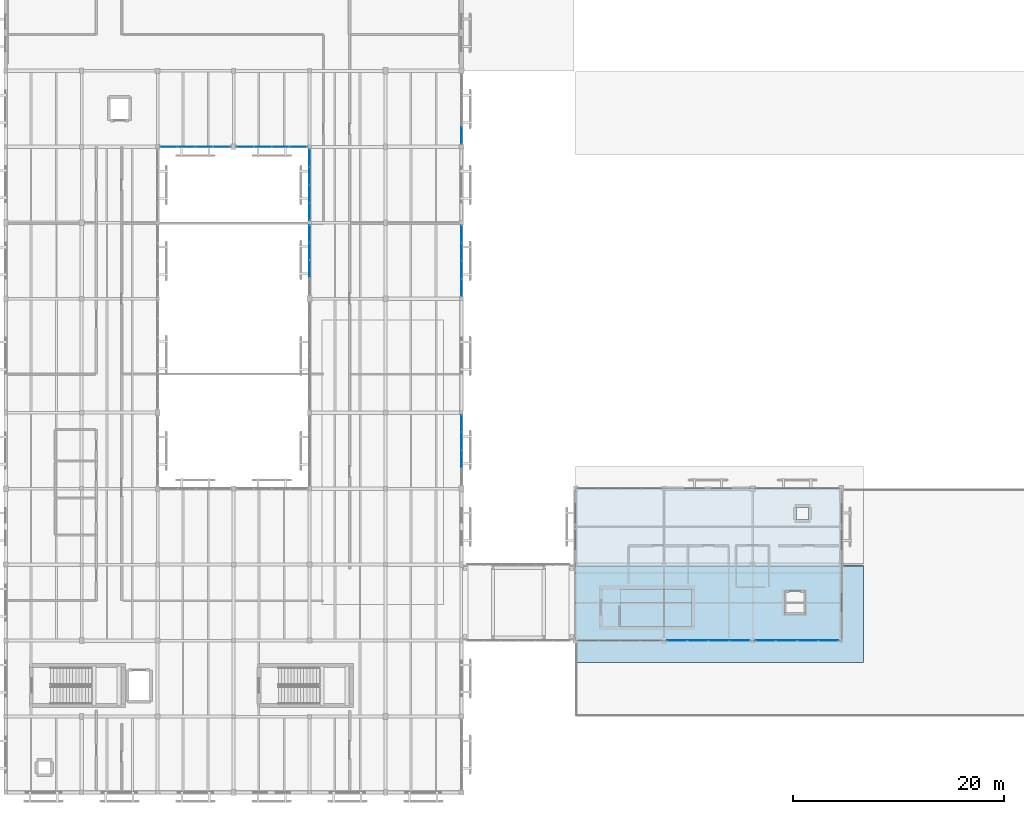
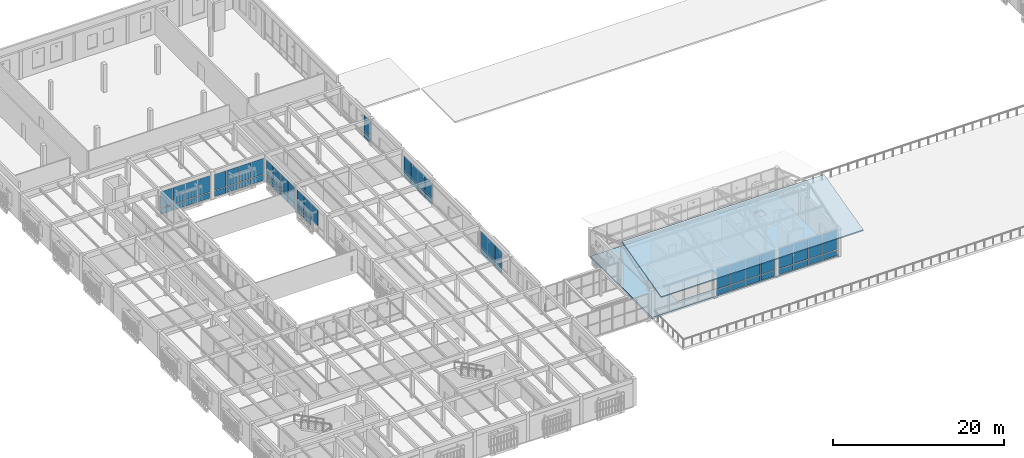
# One storey, part 72 of 112: 61 plates, 2 slabs, 9 elements without a shape of their own.
"""IFC4 building model written with IfcOpenShell, lengths in metres."""

import ifcopenshell
import ifcopenshell.guid

model = None  # the IFC model being written
_history = None  # IfcOwnerHistory: only IFC2X3 demands one
_inside = {}  # id of a spatial element -> (the spatial element, [elements in it])
_under = {}  # id of a project, library or spatial element -> (it, [spatial elements below it])
_declared = {}  # id of a project -> (the project, [libraries it declares])
_typed = {}  # id of a type object -> (the type object, [elements of that type])
_made_of = {}  # id of a material, layer set ... -> (it, [elements and type objects made of it])


def new_model(schema):
    """Start an empty IFC model of exactly this schema.

    Asked for "IFC4X3", IfcOpenShell would pick the latest addendum, in which some entities
    have other attributes; the version numbers below select the first issue.
    IFC2X3 requires an IfcOwnerHistory on every rooted entity: one is made here for all.
    """
    global model, _history
    if schema == "IFC4X3":
        model = ifcopenshell.file(schema_version=(4, 3, 0, 0))
    else:
        model = ifcopenshell.file(schema=schema)
    _inside.clear()
    _under.clear()
    _declared.clear()
    _typed.clear()
    _made_of.clear()
    _history = None
    if model.schema == "IFC2X3":
        org = make("IfcOrganization", Name="unknown")
        user = make(
            "IfcPersonAndOrganization",
            ThePerson=make("IfcPerson", FamilyName="unknown"),
            TheOrganization=org,
        )
        app = make(
            "IfcApplication",
            ApplicationDeveloper=org,
            Version="unknown",
            ApplicationFullName="unknown",
            ApplicationIdentifier="unknown",
        )
        _history = make(
            "IfcOwnerHistory",
            OwningUser=user,
            OwningApplication=app,
            ChangeAction="ADDED",
            CreationDate=0,
        )
    return model


def make(cls, **values):
    """One entity of the class cls with the attributes given. An attribute that is None is left unset."""
    return model.create_entity(
        cls, **{name: value for name, value in values.items() if value is not None}
    )


def rooted(cls, **values):
    """An entity with a GlobalId (a new one), such as an element, a storey or a relation."""
    return make(cls, GlobalId=ifcopenshell.guid.new(), OwnerHistory=_history, **values)


def si_unit(unit_type, name, prefix=None):
    """IfcSIUnit, for example si_unit("LENGTHUNIT", "METRE", prefix="MILLI")."""
    return make("IfcSIUnit", UnitType=unit_type, Prefix=prefix, Name=name)


def assignment(units):
    """IfcUnitAssignment: the units of a project."""
    return None if units is None else make("IfcUnitAssignment", Units=units)


def point(xyz):
    """IfcCartesianPoint."""
    return None if xyz is None else make("IfcCartesianPoint", Coordinates=xyz)


def direction(xyz):
    """IfcDirection."""
    return None if xyz is None else make("IfcDirection", DirectionRatios=xyz)


def frame(location, z_axis=None, x_axis=None):
    """IfcAxis2Placement3D, a coordinate frame: its origin and axes. An axis left out is left unset."""
    return make(
        "IfcAxis2Placement3D",
        Location=point(location),
        Axis=direction(z_axis),
        RefDirection=direction(x_axis),
    )


def frame_2d(location, x_axis=None):
    """IfcAxis2Placement2D, a coordinate frame in the plane: its origin and x axis."""
    return make(
        "IfcAxis2Placement2D", Location=point(location), RefDirection=direction(x_axis)
    )


def origin():
    """The frame at (0, 0, 0) with its axes left unset."""
    return frame((0.0, 0.0, 0.0))


def origin_2d():
    """The frame at (0, 0) in the plane with its x axis left unset."""
    return frame_2d((0.0, 0.0))


def place(relative_to, where):
    """IfcLocalPlacement: puts the frame where relative to a parent placement (None: the world)."""
    return make(
        "IfcLocalPlacement", PlacementRelTo=relative_to, RelativePlacement=where
    )


def context(
    kind, dimensions, precision=None, world=None, true_north=None, identifier=None
):
    """IfcGeometricRepresentationContext, for example the 3D "Model" context."""
    return make(
        "IfcGeometricRepresentationContext",
        ContextIdentifier=identifier,
        ContextType=kind,
        CoordinateSpaceDimension=dimensions,
        Precision=precision,
        WorldCoordinateSystem=world,
        TrueNorth=true_north,
    )


def subcontext(parent, identifier, kind, view, scale=None):
    """IfcGeometricRepresentationSubContext, for example "Body" below "Model"."""
    return make(
        "IfcGeometricRepresentationSubContext",
        ContextIdentifier=identifier,
        ContextType=kind,
        ParentContext=parent,
        TargetScale=scale,
        TargetView=view,
    )


def project(units=None, contexts=None):
    """IfcProject with its units and contexts."""
    return rooted(
        "IfcProject",
        Name="project",
        RepresentationContexts=contexts,
        UnitsInContext=assignment(units),
    )


def spatial(cls, under=None, at=None, **own):
    """A site, building, storey or space (cls), placed at a placement, below another one or the project."""
    s = rooted(cls, ObjectPlacement=at, **own)
    if under is not None:
        _under.setdefault(under.id(), (under, []))[1].append(s)
    return s


def polyline(points):
    """IfcPolyline through the points."""
    return make("IfcPolyline", Points=[point(p) for p in points])


def profile(cls, at=None, kind="AREA", **sizes):
    """A parametric profile (cls). Its sizes go by their IFC names, for example OverallWidth=200.0."""
    return make(cls, ProfileType=kind, Position=at, **sizes)


def rectangle(**sizes):
    """IfcRectangleProfileDef."""
    return profile("IfcRectangleProfileDef", **sizes)


def outline(outer, holes=None, kind="AREA"):
    """IfcArbitraryClosedProfileDef: a profile drawn as a closed curve; with holes, ...WithVoids."""
    if holes is None:
        return make("IfcArbitraryClosedProfileDef", ProfileType=kind, OuterCurve=outer)
    return make(
        "IfcArbitraryProfileDefWithVoids",
        ProfileType=kind,
        OuterCurve=outer,
        InnerCurves=holes,
    )


def extrude(swept, where, along, depth):
    """IfcExtrudedAreaSolid: the profile swept, set in the frame where, extruded along a direction by depth."""
    return make(
        "IfcExtrudedAreaSolid",
        SweptArea=swept,
        Position=where,
        ExtrudedDirection=direction(along),
        Depth=depth,
    )


def shape(context_of_items, identifier, shape_type, items):
    """IfcShapeRepresentation: the items that make up one representation, for example the "Body"."""
    return make(
        "IfcShapeRepresentation",
        ContextOfItems=context_of_items,
        RepresentationIdentifier=identifier,
        RepresentationType=shape_type,
        Items=items,
    )


def material(Name=None, Category=None):
    """IfcMaterial."""
    return make("IfcMaterial", Name=Name, Category=Category)


def layer(
    of_material, thickness, ventilated=None, Name=None, Category=None, Priority=None
):
    """IfcMaterialLayer: one layer of a wall or slab, of a material (None: an air gap)."""
    return make(
        "IfcMaterialLayer",
        Material=of_material,
        LayerThickness=thickness,
        IsVentilated=ventilated,
        Name=Name,
        Category=Category,
        Priority=Priority,
    )


def layer_set(layers, Name=None):
    """IfcMaterialLayerSet."""
    return make("IfcMaterialLayerSet", MaterialLayers=layers, LayerSetName=Name)


def made_of(thing, what):
    """Note that an element or type object is made of a material, layer set ...; save() writes the relation."""
    if what is not None:
        _made_of.setdefault(what.id(), (what, []))[1].append(thing)
    return thing


def type_object(cls, material=None, **own):
    """A type object (cls), such as IfcWallType, which elements share."""
    return made_of(rooted(cls, **own), material)


def element(
    cls,
    number,
    at=None,
    inside=None,
    cuts=None,
    type_object=None,
    material=None,
    context=None,
    identifier="Body",
    shape_type=None,
    held_by="IfcProductDefinitionShape",
    body=None,
    shapes=None,
    **own,
):
    """One element of the class cls, such as IfcWall. Its Tag is "e" and its number.

    at: its placement. inside: the storey or other place that contains it. cuts: it is an
    opening in that element (IfcRelVoidsElement). A single representation is given by context,
    identifier, shape_type and body (its items); several are given by shapes. held_by: the class
    of the entity that holds the representations. save() writes the other relations.
    """
    e = rooted(cls, Tag="e%d" % number, ObjectPlacement=at, **own)
    if body is not None:
        shapes = [shape(context, identifier, shape_type, body)]
    if shapes is not None:
        e.Representation = make(held_by, Representations=shapes)
    if inside is not None:
        _inside.setdefault(inside.id(), (inside, []))[1].append(e)
    if cuts is not None:
        rooted(
            "IfcRelVoidsElement", RelatingBuildingElement=cuts, RelatedOpeningElement=e
        )
    if type_object is not None:
        _typed.setdefault(type_object.id(), (type_object, []))[1].append(e)
    return made_of(e, material)


def aggregate(whole, parts):
    """IfcRelAggregates: a whole, such as a stair, and the parts it consists of."""
    return rooted("IfcRelAggregates", RelatingObject=whole, RelatedObjects=parts)


def save(model, path):
    """Write the relations noted so far, then the file.

    IfcRelAggregates (storeys below a building ...), IfcRelContainedInSpatialStructure (elements
    in a storey), IfcRelDefinesByType, IfcRelAssociatesMaterial and IfcRelDeclares: one each for
    every whole, place, type object, material and project.
    """
    for whole, parts in _under.values():
        aggregate(whole, parts)
    for where, things in _inside.values():
        rooted(
            "IfcRelContainedInSpatialStructure",
            RelatedElements=things,
            RelatingStructure=where,
        )
    for kind, things in _typed.values():
        rooted("IfcRelDefinesByType", RelatedObjects=things, RelatingType=kind)
    for what, things in _made_of.values():
        rooted("IfcRelAssociatesMaterial", RelatedObjects=things, RelatingMaterial=what)
    for by, libraries in _declared.values():
        rooted("IfcRelDeclares", RelatingContext=by, RelatedDefinitions=libraries)
    model.write(path)


model = new_model("IFC4")

# Units and contexts
model_context = context("Model", 3, precision=1e-05, world=origin(), true_north=direction((0.0, 1.0)))
body_context = subcontext(model_context, "Body", "Model", "MODEL_VIEW")
ifc_project = project(units=[si_unit("LENGTHUNIT", "METRE"), si_unit("AREAUNIT", "SQUARE_METRE"), si_unit("VOLUMEUNIT", "CUBIC_METRE"), si_unit("PLANEANGLEUNIT", "RADIAN"), si_unit("MASSUNIT", "GRAM", prefix="KILO")], contexts=[model_context])

# Site, building, storey
site_placement = place(None, origin())
site = spatial("IfcSite", under=ifc_project, at=site_placement, CompositionType="ELEMENT")
building_placement = place(site_placement, origin())
building = spatial("IfcBuilding", under=site, at=building_placement, Name="Mazaris Harbour Polytechnic", CompositionType="ELEMENT")
storey_placement = place(building_placement, frame((0.0, 0.0, 13.800048828125)))
storey = spatial("IfcBuildingStorey", under=building, at=storey_placement, Name="L03", CompositionType="ELEMENT", Elevation=13.800048828125)

# Slab
ifc_material_1 = material(Name="Glulam GL28h and Concrete C30/37", Category="concrete")
ifc_layer_1 = layer(ifc_material_1, 0.264892578125, Name="Glulam GL28h and Concrete C30/37")
ifc_layer_set_1 = layer_set([ifc_layer_1], Name="Glulam GL28h and Concrete C30/37")
slab_type_1 = type_object("IfcSlabType", Name="CLT Composite Floor 265", PredefinedType="FLOOR", material=ifc_layer_set_1)
slab_1_placement = place(storey_placement, frame((0.0, 0.0, -0.26513671875)))
element("IfcSlab", 1, at=slab_1_placement, inside=storey, type_object=slab_type_1, Name="V3 L03 Floor Slab", PredefinedType="FLOOR", context=body_context, shape_type="SweptSolid", body=[
    extrude(outline(polyline([(79.199951171875, 36.0), (79.199951171875, 21.60009765625), (54.0, 21.60009765625), (54.0, 36.0), (79.199951171875, 36.0)]), holes=[polyline([(58.27490234375, 23.0), (65.0, 23.0), (65.0, 26.449951171875), (58.27490234375, 26.449951171875), (58.27490234375, 23.0)]), polyline([(73.800048828125, 26.300048828125), (73.800048828125, 24.10009765625), (75.800048828125, 24.10009765625), (75.800048828125, 26.300048828125), (73.800048828125, 26.300048828125)]), polyline([(76.10009765625, 34.199951171875), (74.97998046875, 34.199951171875), (74.97998046875, 33.080078125), (76.10009765625, 33.080078125), (76.10009765625, 34.199951171875)])]), origin(), (0.0, 0.0, 1.0), 0.26513671875),
])

# Curtain wall, plates
ifc_material_2 = material(Name="Anodised Bronze Aluminium and Low-E Glass", Category="aluminium")
ifc_layer_2 = layer(ifc_material_2, 0.179931640625, Name="Anodised Bronze Aluminium and Low-E Glass")
ifc_layer_set_2 = layer_set([ifc_layer_2], Name="Anodised Bronze Aluminium and Low-E Glass")
curtain_wall_type_1 = type_object("IfcCurtainWallType", Name="Harbour Colonnade Curtain Wall", PredefinedType="NOTDEFINED", material=ifc_layer_set_2)
curtain_wall_1_placement = place(storey_placement, origin())
curtain_wall_1 = element("IfcCurtainWall", 2, at=curtain_wall_1_placement, inside=storey, type_object=curtain_wall_type_1, Name="V3 L03 Curtain Wall 91", PredefinedType="NOTDEFINED")
ifc_material_3 = material(Name="Low-E Double Glazing", Category="glass")
ifc_layer_3 = layer(ifc_material_3, 0.028076171875, Name="Low-E Double Glazing")
ifc_layer_set_3 = layer_set([ifc_layer_3], Name="Low-E Double Glazing")
plate_type = type_object("IfcPlateType", Name="Low-E Vision Glass Panel 28", PredefinedType="CURTAIN_PANEL", material=ifc_layer_set_3)
plate_1_placement = place(storey_placement, frame((69.57470703125, 21.60009765625, 0.119873046875), z_axis=(0.0, 0.0, 1.0), x_axis=(-1.0, 0.0, 0.0)))
plate_1 = element("IfcPlate", 3, at=plate_1_placement, type_object=plate_type, Name="CW-01 panel 1.1", PredefinedType="CURTAIN_PANEL", context=body_context, shape_type="SweptSolid", body=[
    extrude(rectangle(XDim=1.846435546875, YDim=0.028076171875, at=origin_2d()), origin(), (0.0, 0.0, 1.0), 0.77001953125),
])
plate_2_placement = place(storey_placement, frame((69.57470703125, 21.60009765625, 1.010009765625), z_axis=(0.0, 0.0, 1.0), x_axis=(-1.0, 0.0, 0.0)))
plate_2 = element("IfcPlate", 4, at=plate_2_placement, type_object=plate_type, Name="CW-01 panel 1.2", PredefinedType="CURTAIN_PANEL", context=body_context, shape_type="SweptSolid", body=[
    extrude(rectangle(XDim=1.846435546875, YDim=0.028076171875, at=origin_2d()), origin(), (0.0, 0.0, 1.0), 2.830078125),
])
plate_3_placement = place(storey_placement, frame((67.603271484375, 21.60009765625, 0.119873046875), z_axis=(0.0, 0.0, 1.0), x_axis=(-1.0, 0.0, 0.0)))
plate_3 = element("IfcPlate", 5, at=plate_3_placement, type_object=plate_type, Name="CW-01 panel 2.1", PredefinedType="CURTAIN_PANEL", context=body_context, shape_type="SweptSolid", body=[
    extrude(rectangle(XDim=1.896484375, YDim=0.028076171875, at=origin_2d()), origin(), (0.0, 0.0, 1.0), 0.77001953125),
])
plate_4_placement = place(storey_placement, frame((67.603271484375, 21.60009765625, 1.010009765625), z_axis=(0.0, 0.0, 1.0), x_axis=(-1.0, 0.0, 0.0)))
plate_4 = element("IfcPlate", 6, at=plate_4_placement, type_object=plate_type, Name="CW-01 panel 2.2", PredefinedType="CURTAIN_PANEL", context=body_context, shape_type="SweptSolid", body=[
    extrude(rectangle(XDim=1.896484375, YDim=0.028076171875, at=origin_2d()), origin(), (0.0, 0.0, 1.0), 2.830078125),
])
plate_5_placement = place(storey_placement, frame((65.606689453125, 21.60009765625, 0.119873046875), z_axis=(0.0, 0.0, 1.0), x_axis=(-1.0, 0.0, 0.0)))
plate_5 = element("IfcPlate", 7, at=plate_5_placement, type_object=plate_type, Name="CW-01 panel 3.1", PredefinedType="CURTAIN_PANEL", context=body_context, shape_type="SweptSolid", body=[
    extrude(rectangle(XDim=1.896484375, YDim=0.028076171875, at=origin_2d()), origin(), (0.0, 0.0, 1.0), 0.77001953125),
])
plate_6_placement = place(storey_placement, frame((65.606689453125, 21.60009765625, 1.010009765625), z_axis=(0.0, 0.0, 1.0), x_axis=(-1.0, 0.0, 0.0)))
plate_6 = element("IfcPlate", 8, at=plate_6_placement, type_object=plate_type, Name="CW-01 panel 3.2", PredefinedType="CURTAIN_PANEL", context=body_context, shape_type="SweptSolid", body=[
    extrude(rectangle(XDim=1.896484375, YDim=0.028076171875, at=origin_2d()), origin(), (0.0, 0.0, 1.0), 2.830078125),
])
plate_7_placement = place(storey_placement, frame((63.63525390625, 21.60009765625, 0.119873046875), z_axis=(0.0, 0.0, 1.0), x_axis=(-1.0, 0.0, 0.0)))
plate_7 = element("IfcPlate", 9, at=plate_7_placement, type_object=plate_type, Name="CW-01 panel 4.1", PredefinedType="CURTAIN_PANEL", context=body_context, shape_type="SweptSolid", body=[
    extrude(rectangle(XDim=1.846435546875, YDim=0.028076171875, at=origin_2d()), origin(), (0.0, 0.0, 1.0), 0.77001953125),
])
plate_8_placement = place(storey_placement, frame((63.63525390625, 21.60009765625, 1.010009765625), z_axis=(0.0, 0.0, 1.0), x_axis=(-1.0, 0.0, 0.0)))
plate_8 = element("IfcPlate", 10, at=plate_8_placement, type_object=plate_type, Name="CW-01 panel 4.2", PredefinedType="CURTAIN_PANEL", context=body_context, shape_type="SweptSolid", body=[
    extrude(rectangle(XDim=1.846435546875, YDim=0.028076171875, at=origin_2d()), origin(), (0.0, 0.0, 1.0), 2.830078125),
])
aggregate(curtain_wall_1, [plate_1, plate_2, plate_3, plate_4, plate_5, plate_6, plate_7, plate_8])

curtain_wall_2_placement = place(storey_placement, origin())
curtain_wall_2 = element("IfcCurtainWall", 11, at=curtain_wall_2_placement, inside=storey, type_object=curtain_wall_type_1, Name="V3 L03 Curtain Wall 92", PredefinedType="NOTDEFINED")
plate_9_placement = place(storey_placement, frame((77.999755859375, 21.60009765625, 0.119873046875), z_axis=(0.0, 0.0, 1.0), x_axis=(-1.0, 0.0, 0.0)))
plate_9 = element("IfcPlate", 12, at=plate_9_placement, type_object=plate_type, Name="CW-01 panel 1.1", PredefinedType="CURTAIN_PANEL", context=body_context, shape_type="SweptSolid", body=[
    extrude(rectangle(XDim=1.8564453125, YDim=0.028076171875, at=origin_2d()), origin(), (0.0, 0.0, 1.0), 0.77001953125),
])
plate_10_placement = place(storey_placement, frame((77.999755859375, 21.60009765625, 1.010009765625), z_axis=(0.0, 0.0, 1.0), x_axis=(-1.0, 0.0, 0.0)))
plate_10 = element("IfcPlate", 13, at=plate_10_placement, type_object=plate_type, Name="CW-01 panel 1.2", PredefinedType="CURTAIN_PANEL", context=body_context, shape_type="SweptSolid", body=[
    extrude(rectangle(XDim=1.8564453125, YDim=0.028076171875, at=origin_2d()), origin(), (0.0, 0.0, 1.0), 2.830078125),
])
plate_11_placement = place(storey_placement, frame((76.018310546875, 21.60009765625, 0.119873046875), z_axis=(0.0, 0.0, 1.0), x_axis=(-1.0, 0.0, 0.0)))
plate_11 = element("IfcPlate", 14, at=plate_11_placement, type_object=plate_type, Name="CW-01 panel 2.1", PredefinedType="CURTAIN_PANEL", context=body_context, shape_type="SweptSolid", body=[
    extrude(rectangle(XDim=1.906494140625, YDim=0.028076171875, at=origin_2d()), origin(), (0.0, 0.0, 1.0), 0.77001953125),
])
plate_12_placement = place(storey_placement, frame((76.018310546875, 21.60009765625, 1.010009765625), z_axis=(0.0, 0.0, 1.0), x_axis=(-1.0, 0.0, 0.0)))
plate_12 = element("IfcPlate", 15, at=plate_12_placement, type_object=plate_type, Name="CW-01 panel 2.2", PredefinedType="CURTAIN_PANEL", context=body_context, shape_type="SweptSolid", body=[
    extrude(rectangle(XDim=1.906494140625, YDim=0.028076171875, at=origin_2d()), origin(), (0.0, 0.0, 1.0), 2.830078125),
])
plate_13_placement = place(storey_placement, frame((74.01171875, 21.60009765625, 0.119873046875), z_axis=(0.0, 0.0, 1.0), x_axis=(-1.0, 0.0, 0.0)))
plate_13 = element("IfcPlate", 16, at=plate_13_placement, type_object=plate_type, Name="CW-01 panel 3.1", PredefinedType="CURTAIN_PANEL", context=body_context, shape_type="SweptSolid", body=[
    extrude(rectangle(XDim=1.906494140625, YDim=0.028076171875, at=origin_2d()), origin(), (0.0, 0.0, 1.0), 0.77001953125),
])
plate_14_placement = place(storey_placement, frame((74.01171875, 21.60009765625, 1.010009765625), z_axis=(0.0, 0.0, 1.0), x_axis=(-1.0, 0.0, 0.0)))
plate_14 = element("IfcPlate", 17, at=plate_14_placement, type_object=plate_type, Name="CW-01 panel 3.2", PredefinedType="CURTAIN_PANEL", context=body_context, shape_type="SweptSolid", body=[
    extrude(rectangle(XDim=1.906494140625, YDim=0.028076171875, at=origin_2d()), origin(), (0.0, 0.0, 1.0), 2.830078125),
])
plate_15_placement = place(storey_placement, frame((72.0302734375, 21.60009765625, 0.119873046875), z_axis=(0.0, 0.0, 1.0), x_axis=(-1.0, 0.0, 0.0)))
plate_15 = element("IfcPlate", 18, at=plate_15_placement, type_object=plate_type, Name="CW-01 panel 4.1", PredefinedType="CURTAIN_PANEL", context=body_context, shape_type="SweptSolid", body=[
    extrude(rectangle(XDim=1.8564453125, YDim=0.028076171875, at=origin_2d()), origin(), (0.0, 0.0, 1.0), 0.77001953125),
])
plate_16_placement = place(storey_placement, frame((72.0302734375, 21.60009765625, 1.010009765625), z_axis=(0.0, 0.0, 1.0), x_axis=(-1.0, 0.0, 0.0)))
plate_16 = element("IfcPlate", 19, at=plate_16_placement, type_object=plate_type, Name="CW-01 panel 4.2", PredefinedType="CURTAIN_PANEL", context=body_context, shape_type="SweptSolid", body=[
    extrude(rectangle(XDim=1.8564453125, YDim=0.028076171875, at=origin_2d()), origin(), (0.0, 0.0, 1.0), 2.830078125),
])
aggregate(curtain_wall_2, [plate_9, plate_10, plate_11, plate_12, plate_13, plate_14, plate_15, plate_16])

ifc_material_4 = material(Name="Anodised Bronze Aluminium and Low-E Glass", Category="aluminium")
ifc_layer_4 = layer(ifc_material_4, 0.159912109375, Name="Anodised Bronze Aluminium and Low-E Glass")
ifc_layer_set_4 = layer_set([ifc_layer_4], Name="Anodised Bronze Aluminium and Low-E Glass")
curtain_wall_type_2 = type_object("IfcCurtainWallType", Name="Cloister Court Curtain Wall", PredefinedType="NOTDEFINED", material=ifc_layer_set_4)
curtain_wall_3_placement = place(storey_placement, origin())
curtain_wall_3 = element("IfcCurtainWall", 20, at=curtain_wall_3_placement, inside=storey, type_object=curtain_wall_type_2, Name="V4 L03 Curtain Wall 146", PredefinedType="NOTDEFINED")
plate_17_placement = place(storey_placement, frame((43.199951171875, 42.1748046875, 0.079833984375), z_axis=(0.0, 0.0, 1.0), x_axis=(0.0, -1.0, 0.0)))
plate_17 = element("IfcPlate", 21, at=plate_17_placement, type_object=plate_type, Name="CW-02 panel 1.1", PredefinedType="CURTAIN_PANEL", context=body_context, shape_type="SweptSolid", body=[
    extrude(rectangle(XDim=1.56640625, YDim=0.028076171875, at=origin_2d()), origin(), (0.0, 0.0, 1.0), 0.830078125),
])
plate_18_placement = place(storey_placement, frame((43.199951171875, 42.1748046875, 0.98974609375), z_axis=(0.0, 0.0, 1.0), x_axis=(0.0, -1.0, 0.0)))
plate_18 = element("IfcPlate", 22, at=plate_18_placement, type_object=plate_type, Name="CW-02 panel 1.2", PredefinedType="CURTAIN_PANEL", context=body_context, shape_type="SweptSolid", body=[
    extrude(rectangle(XDim=1.56640625, YDim=0.028076171875, at=origin_2d()), origin(), (0.0, 0.0, 1.0), 2.199951171875),
])
plate_19_placement = place(storey_placement, frame((43.199951171875, 40.50830078125, 0.079833984375), z_axis=(0.0, 0.0, 1.0), x_axis=(0.0, -1.0, 0.0)))
plate_19 = element("IfcPlate", 23, at=plate_19_placement, type_object=plate_type, Name="CW-02 panel 2.1", PredefinedType="CURTAIN_PANEL", context=body_context, shape_type="SweptSolid", body=[
    extrude(rectangle(XDim=1.6064453125, YDim=0.028076171875, at=origin_2d()), origin(), (0.0, 0.0, 1.0), 0.830078125),
])
plate_20_placement = place(storey_placement, frame((43.199951171875, 40.50830078125, 0.98974609375), z_axis=(0.0, 0.0, 1.0), x_axis=(0.0, -1.0, 0.0)))
plate_20 = element("IfcPlate", 24, at=plate_20_placement, type_object=plate_type, Name="CW-02 panel 2.2", PredefinedType="CURTAIN_PANEL", context=body_context, shape_type="SweptSolid", body=[
    extrude(rectangle(XDim=1.6064453125, YDim=0.028076171875, at=origin_2d()), origin(), (0.0, 0.0, 1.0), 2.199951171875),
])
plate_21_placement = place(storey_placement, frame((43.199951171875, 38.82177734375, 0.079833984375), z_axis=(0.0, 0.0, 1.0), x_axis=(0.0, -1.0, 0.0)))
plate_21 = element("IfcPlate", 25, at=plate_21_placement, type_object=plate_type, Name="CW-02 panel 3.1", PredefinedType="CURTAIN_PANEL", context=body_context, shape_type="SweptSolid", body=[
    extrude(rectangle(XDim=1.6064453125, YDim=0.028076171875, at=origin_2d()), origin(), (0.0, 0.0, 1.0), 0.830078125),
])
plate_22_placement = place(storey_placement, frame((43.199951171875, 38.82177734375, 0.98974609375), z_axis=(0.0, 0.0, 1.0), x_axis=(0.0, -1.0, 0.0)))
plate_22 = element("IfcPlate", 26, at=plate_22_placement, type_object=plate_type, Name="CW-02 panel 3.2", PredefinedType="CURTAIN_PANEL", context=body_context, shape_type="SweptSolid", body=[
    extrude(rectangle(XDim=1.6064453125, YDim=0.028076171875, at=origin_2d()), origin(), (0.0, 0.0, 1.0), 2.199951171875),
])
aggregate(curtain_wall_3, [plate_17, plate_18, plate_19, plate_20, plate_21, plate_22])

curtain_wall_4_placement = place(storey_placement, origin())
curtain_wall_4 = element("IfcCurtainWall", 27, at=curtain_wall_4_placement, inside=storey, type_object=curtain_wall_type_2, Name="V4 L03 Curtain Wall 147", PredefinedType="NOTDEFINED")
plate_23_placement = place(storey_placement, frame((43.199951171875, 60.1259765625, 0.079833984375), z_axis=(0.0, 0.0, 1.0), x_axis=(0.0, -1.0, 0.0)))
plate_23 = element("IfcPlate", 28, at=plate_23_placement, type_object=plate_type, Name="CW-02 panel 1.1", PredefinedType="CURTAIN_PANEL", context=body_context, shape_type="SweptSolid", body=[
    extrude(rectangle(XDim=1.583984375, YDim=0.028076171875, at=origin_2d()), origin(), (0.0, 0.0, 1.0), 0.830078125),
])
plate_24_placement = place(storey_placement, frame((43.199951171875, 60.1259765625, 0.989990234375), z_axis=(0.0, 0.0, 1.0), x_axis=(0.0, -1.0, 0.0)))
plate_24 = element("IfcPlate", 29, at=plate_24_placement, type_object=plate_type, Name="CW-02 panel 1.2", PredefinedType="CURTAIN_PANEL", context=body_context, shape_type="SweptSolid", body=[
    extrude(rectangle(XDim=1.583984375, YDim=0.028076171875, at=origin_2d()), origin(), (0.0, 0.0, 1.0), 2.10009765625),
])
plate_25_placement = place(storey_placement, frame((43.199951171875, 58.44189453125, 0.079833984375), z_axis=(0.0, 0.0, 1.0), x_axis=(0.0, -1.0, 0.0)))
plate_25 = element("IfcPlate", 30, at=plate_25_placement, type_object=plate_type, Name="CW-02 panel 2.1", PredefinedType="CURTAIN_PANEL", context=body_context, shape_type="SweptSolid", body=[
    extrude(rectangle(XDim=1.6240234375, YDim=0.028076171875, at=origin_2d()), origin(), (0.0, 0.0, 1.0), 0.830078125),
])
plate_26_placement = place(storey_placement, frame((43.199951171875, 58.44189453125, 0.989990234375), z_axis=(0.0, 0.0, 1.0), x_axis=(0.0, -1.0, 0.0)))
plate_26 = element("IfcPlate", 31, at=plate_26_placement, type_object=plate_type, Name="CW-02 panel 2.2", PredefinedType="CURTAIN_PANEL", context=body_context, shape_type="SweptSolid", body=[
    extrude(rectangle(XDim=1.6240234375, YDim=0.028076171875, at=origin_2d()), origin(), (0.0, 0.0, 1.0), 2.10009765625),
])
plate_27_placement = place(storey_placement, frame((43.199951171875, 56.738037109375, 0.079833984375), z_axis=(0.0, 0.0, 1.0), x_axis=(0.0, -1.0, 0.0)))
plate_27 = element("IfcPlate", 32, at=plate_27_placement, type_object=plate_type, Name="CW-02 panel 3.1", PredefinedType="CURTAIN_PANEL", context=body_context, shape_type="SweptSolid", body=[
    extrude(rectangle(XDim=1.6240234375, YDim=0.028076171875, at=origin_2d()), origin(), (0.0, 0.0, 1.0), 0.830078125),
])
plate_28_placement = place(storey_placement, frame((43.199951171875, 56.738037109375, 0.989990234375), z_axis=(0.0, 0.0, 1.0), x_axis=(0.0, -1.0, 0.0)))
plate_28 = element("IfcPlate", 33, at=plate_28_placement, type_object=plate_type, Name="CW-02 panel 3.2", PredefinedType="CURTAIN_PANEL", context=body_context, shape_type="SweptSolid", body=[
    extrude(rectangle(XDim=1.6240234375, YDim=0.028076171875, at=origin_2d()), origin(), (0.0, 0.0, 1.0), 2.10009765625),
])
plate_29_placement = place(storey_placement, frame((43.199951171875, 55.053955078125, 0.079833984375), z_axis=(0.0, 0.0, 1.0), x_axis=(0.0, -1.0, 0.0)))
plate_29 = element("IfcPlate", 34, at=plate_29_placement, type_object=plate_type, Name="CW-02 panel 4.1", PredefinedType="CURTAIN_PANEL", context=body_context, shape_type="SweptSolid", body=[
    extrude(rectangle(XDim=1.583984375, YDim=0.028076171875, at=origin_2d()), origin(), (0.0, 0.0, 1.0), 0.830078125),
])
plate_30_placement = place(storey_placement, frame((43.199951171875, 55.053955078125, 0.989990234375), z_axis=(0.0, 0.0, 1.0), x_axis=(0.0, -1.0, 0.0)))
plate_30 = element("IfcPlate", 35, at=plate_30_placement, type_object=plate_type, Name="CW-02 panel 4.2", PredefinedType="CURTAIN_PANEL", context=body_context, shape_type="SweptSolid", body=[
    extrude(rectangle(XDim=1.583984375, YDim=0.028076171875, at=origin_2d()), origin(), (0.0, 0.0, 1.0), 2.10009765625),
])
aggregate(curtain_wall_4, [plate_23, plate_24, plate_25, plate_26, plate_27, plate_28, plate_29, plate_30])

curtain_wall_5_placement = place(storey_placement, origin())
curtain_wall_5 = element("IfcCurtainWall", 36, at=curtain_wall_5_placement, inside=storey, type_object=curtain_wall_type_2, Name="V4 L03 Curtain Wall 148", PredefinedType="NOTDEFINED")
plate_31_placement = place(storey_placement, frame((43.199951171875, 69.48388671875, 0.079833984375), z_axis=(0.0, 0.0, 1.0), x_axis=(0.0, -1.0, 0.0)))
plate_31 = element("IfcPlate", 37, at=plate_31_placement, type_object=plate_type, Name="CW-02 panel 4.1", PredefinedType="CURTAIN_PANEL", context=body_context, shape_type="SweptSolid", body=[
    extrude(rectangle(XDim=1.56396484375, YDim=0.028076171875, at=origin_2d()), origin(), (0.0, 0.0, 1.0), 0.830078125),
])
plate_32_placement = place(storey_placement, frame((43.199951171875, 69.48388671875, 0.98974609375), z_axis=(0.0, 0.0, 1.0), x_axis=(0.0, -1.0, 0.0)))
plate_32 = element("IfcPlate", 38, at=plate_32_placement, type_object=plate_type, Name="CW-02 panel 4.2", PredefinedType="CURTAIN_PANEL", context=body_context, shape_type="SweptSolid", body=[
    extrude(rectangle(XDim=1.56396484375, YDim=0.028076171875, at=origin_2d()), origin(), (0.0, 0.0, 1.0), 2.260009765625),
])
aggregate(curtain_wall_5, [plate_31, plate_32])

curtain_wall_6_placement = place(storey_placement, origin())
curtain_wall_6 = element("IfcCurtainWall", 39, at=curtain_wall_6_placement, inside=storey, type_object=curtain_wall_type_2, Name="V4 L03 Curtain Wall 152", PredefinedType="NOTDEFINED")
plate_33_placement = place(storey_placement, frame((20.493408203125, 68.39990234375, 0.079833984375), z_axis=(0.0, 0.0, 1.0), x_axis=(-1.0, 0.0, 0.0)))
plate_33 = element("IfcPlate", 40, at=plate_33_placement, type_object=plate_type, Name="CW-02 panel 1.1", PredefinedType="CURTAIN_PANEL", context=body_context, shape_type="SweptSolid", body=[
    extrude(rectangle(XDim=1.569091796875, YDim=0.028076171875, at=origin_2d()), origin(), (0.0, 0.0, 1.0), 0.830078125),
])
plate_34_placement = place(storey_placement, frame((20.493408203125, 68.39990234375, 0.98974609375), z_axis=(0.0, 0.0, 1.0), x_axis=(-1.0, 0.0, 0.0)))
plate_34 = element("IfcPlate", 41, at=plate_34_placement, type_object=plate_type, Name="CW-02 panel 1.2", PredefinedType="CURTAIN_PANEL", context=body_context, shape_type="SweptSolid", body=[
    extrude(rectangle(XDim=1.569091796875, YDim=0.028076171875, at=origin_2d()), origin(), (0.0, 0.0, 1.0), 2.320068359375),
])
plate_35_placement = place(storey_placement, frame((18.824462890625, 68.39990234375, 0.079833984375), z_axis=(0.0, 0.0, 1.0), x_axis=(-1.0, 0.0, 0.0)))
plate_35 = element("IfcPlate", 42, at=plate_35_placement, type_object=plate_type, Name="CW-02 panel 2.1", PredefinedType="CURTAIN_PANEL", context=body_context, shape_type="SweptSolid", body=[
    extrude(rectangle(XDim=1.60888671875, YDim=0.028076171875, at=origin_2d()), origin(), (0.0, 0.0, 1.0), 0.830078125),
])
plate_36_placement = place(storey_placement, frame((18.824462890625, 68.39990234375, 0.98974609375), z_axis=(0.0, 0.0, 1.0), x_axis=(-1.0, 0.0, 0.0)))
plate_36 = element("IfcPlate", 43, at=plate_36_placement, type_object=plate_type, Name="CW-02 panel 2.2", PredefinedType="CURTAIN_PANEL", context=body_context, shape_type="SweptSolid", body=[
    extrude(rectangle(XDim=1.60888671875, YDim=0.028076171875, at=origin_2d()), origin(), (0.0, 0.0, 1.0), 2.320068359375),
])
plate_37_placement = place(storey_placement, frame((17.135498046875, 68.39990234375, 0.079833984375), z_axis=(0.0, 0.0, 1.0), x_axis=(-1.0, 0.0, 0.0)))
plate_37 = element("IfcPlate", 44, at=plate_37_placement, type_object=plate_type, Name="CW-02 panel 3.1", PredefinedType="CURTAIN_PANEL", context=body_context, shape_type="SweptSolid", body=[
    extrude(rectangle(XDim=1.60888671875, YDim=0.028076171875, at=origin_2d()), origin(), (0.0, 0.0, 1.0), 0.830078125),
])
plate_38_placement = place(storey_placement, frame((17.135498046875, 68.39990234375, 0.98974609375), z_axis=(0.0, 0.0, 1.0), x_axis=(-1.0, 0.0, 0.0)))
plate_38 = element("IfcPlate", 45, at=plate_38_placement, type_object=plate_type, Name="CW-02 panel 3.2", PredefinedType="CURTAIN_PANEL", context=body_context, shape_type="SweptSolid", body=[
    extrude(rectangle(XDim=1.60888671875, YDim=0.028076171875, at=origin_2d()), origin(), (0.0, 0.0, 1.0), 2.320068359375),
])
plate_39_placement = place(storey_placement, frame((15.466552734375, 68.39990234375, 0.079833984375), z_axis=(0.0, 0.0, 1.0), x_axis=(-1.0, 0.0, 0.0)))
plate_39 = element("IfcPlate", 46, at=plate_39_placement, type_object=plate_type, Name="CW-02 panel 4.1", PredefinedType="CURTAIN_PANEL", context=body_context, shape_type="SweptSolid", body=[
    extrude(rectangle(XDim=1.569091796875, YDim=0.028076171875, at=origin_2d()), origin(), (0.0, 0.0, 1.0), 0.830078125),
])
plate_40_placement = place(storey_placement, frame((15.466552734375, 68.39990234375, 0.98974609375), z_axis=(0.0, 0.0, 1.0), x_axis=(-1.0, 0.0, 0.0)))
plate_40 = element("IfcPlate", 47, at=plate_40_placement, type_object=plate_type, Name="CW-02 panel 4.2", PredefinedType="CURTAIN_PANEL", context=body_context, shape_type="SweptSolid", body=[
    extrude(rectangle(XDim=1.569091796875, YDim=0.028076171875, at=origin_2d()), origin(), (0.0, 0.0, 1.0), 2.320068359375),
])
aggregate(curtain_wall_6, [plate_33, plate_34, plate_35, plate_36, plate_37, plate_38, plate_39, plate_40])

curtain_wall_7_placement = place(storey_placement, origin())
curtain_wall_7 = element("IfcCurtainWall", 48, at=curtain_wall_7_placement, inside=storey, type_object=curtain_wall_type_2, Name="V4 L03 Curtain Wall 153", PredefinedType="NOTDEFINED")
plate_41_placement = place(storey_placement, frame((27.7509765625, 68.39990234375, 0.079833984375), z_axis=(0.0, 0.0, 1.0), x_axis=(-1.0, 0.0, 0.0)))
plate_41 = element("IfcPlate", 49, at=plate_41_placement, type_object=plate_type, Name="CW-02 panel 1.1", PredefinedType="CURTAIN_PANEL", context=body_context, shape_type="SweptSolid", body=[
    extrude(rectangle(XDim=1.573974609375, YDim=0.028076171875, at=origin_2d()), origin(), (0.0, 0.0, 1.0), 0.830078125),
])
plate_42_placement = place(storey_placement, frame((27.7509765625, 68.39990234375, 0.98974609375), z_axis=(0.0, 0.0, 1.0), x_axis=(-1.0, 0.0, 0.0)))
plate_42 = element("IfcPlate", 50, at=plate_42_placement, type_object=plate_type, Name="CW-02 panel 1.2", PredefinedType="CURTAIN_PANEL", context=body_context, shape_type="SweptSolid", body=[
    extrude(rectangle(XDim=1.573974609375, YDim=0.028076171875, at=origin_2d()), origin(), (0.0, 0.0, 1.0), 2.260009765625),
])
plate_43_placement = place(storey_placement, frame((26.076904296875, 68.39990234375, 0.079833984375), z_axis=(0.0, 0.0, 1.0), x_axis=(-1.0, 0.0, 0.0)))
plate_43 = element("IfcPlate", 51, at=plate_43_placement, type_object=plate_type, Name="CW-02 panel 2.1", PredefinedType="CURTAIN_PANEL", context=body_context, shape_type="SweptSolid", body=[
    extrude(rectangle(XDim=1.614013671875, YDim=0.028076171875, at=origin_2d()), origin(), (0.0, 0.0, 1.0), 0.830078125),
])
plate_44_placement = place(storey_placement, frame((26.076904296875, 68.39990234375, 0.98974609375), z_axis=(0.0, 0.0, 1.0), x_axis=(-1.0, 0.0, 0.0)))
plate_44 = element("IfcPlate", 52, at=plate_44_placement, type_object=plate_type, Name="CW-02 panel 2.2", PredefinedType="CURTAIN_PANEL", context=body_context, shape_type="SweptSolid", body=[
    extrude(rectangle(XDim=1.614013671875, YDim=0.028076171875, at=origin_2d()), origin(), (0.0, 0.0, 1.0), 2.260009765625),
])
plate_45_placement = place(storey_placement, frame((24.383056640625, 68.39990234375, 0.079833984375), z_axis=(0.0, 0.0, 1.0), x_axis=(-1.0, 0.0, 0.0)))
plate_45 = element("IfcPlate", 53, at=plate_45_placement, type_object=plate_type, Name="CW-02 panel 3.1", PredefinedType="CURTAIN_PANEL", context=body_context, shape_type="SweptSolid", body=[
    extrude(rectangle(XDim=1.614013671875, YDim=0.028076171875, at=origin_2d()), origin(), (0.0, 0.0, 1.0), 0.830078125),
])
plate_46_placement = place(storey_placement, frame((24.383056640625, 68.39990234375, 0.98974609375), z_axis=(0.0, 0.0, 1.0), x_axis=(-1.0, 0.0, 0.0)))
plate_46 = element("IfcPlate", 54, at=plate_46_placement, type_object=plate_type, Name="CW-02 panel 3.2", PredefinedType="CURTAIN_PANEL", context=body_context, shape_type="SweptSolid", body=[
    extrude(rectangle(XDim=1.614013671875, YDim=0.028076171875, at=origin_2d()), origin(), (0.0, 0.0, 1.0), 2.260009765625),
])
plate_47_placement = place(storey_placement, frame((22.708984375, 68.39990234375, 0.079833984375), z_axis=(0.0, 0.0, 1.0), x_axis=(-1.0, 0.0, 0.0)))
plate_47 = element("IfcPlate", 55, at=plate_47_placement, type_object=plate_type, Name="CW-02 panel 4.1", PredefinedType="CURTAIN_PANEL", context=body_context, shape_type="SweptSolid", body=[
    extrude(rectangle(XDim=1.573974609375, YDim=0.028076171875, at=origin_2d()), origin(), (0.0, 0.0, 1.0), 0.830078125),
])
plate_48_placement = place(storey_placement, frame((22.708984375, 68.39990234375, 0.98974609375), z_axis=(0.0, 0.0, 1.0), x_axis=(-1.0, 0.0, 0.0)))
plate_48 = element("IfcPlate", 56, at=plate_48_placement, type_object=plate_type, Name="CW-02 panel 4.2", PredefinedType="CURTAIN_PANEL", context=body_context, shape_type="SweptSolid", body=[
    extrude(rectangle(XDim=1.573974609375, YDim=0.028076171875, at=origin_2d()), origin(), (0.0, 0.0, 1.0), 2.260009765625),
])
aggregate(curtain_wall_7, [plate_41, plate_42, plate_43, plate_44, plate_45, plate_46, plate_47, plate_48])

curtain_wall_8_placement = place(storey_placement, origin())
curtain_wall_8 = element("IfcCurtainWall", 57, at=curtain_wall_8_placement, inside=storey, type_object=curtain_wall_type_2, Name="V4 L03 Curtain Wall 160", PredefinedType="NOTDEFINED")
plate_49_placement = place(storey_placement, frame((28.800048828125, 60.1748046875, 0.079833984375), z_axis=(0.0, 0.0, 1.0), x_axis=(0.0, -1.0, 0.0)))
plate_49 = element("IfcPlate", 58, at=plate_49_placement, type_object=plate_type, Name="CW-02 panel 1.1", PredefinedType="CURTAIN_PANEL", context=body_context, shape_type="SweptSolid", body=[
    extrude(rectangle(XDim=1.56640625, YDim=0.028076171875, at=origin_2d()), origin(), (0.0, 0.0, 1.0), 0.830078125),
])
plate_50_placement = place(storey_placement, frame((28.800048828125, 60.1748046875, 0.98974609375), z_axis=(0.0, 0.0, 1.0), x_axis=(0.0, -1.0, 0.0)))
plate_50 = element("IfcPlate", 59, at=plate_50_placement, type_object=plate_type, Name="CW-02 panel 1.2", PredefinedType="CURTAIN_PANEL", context=body_context, shape_type="SweptSolid", body=[
    extrude(rectangle(XDim=1.56640625, YDim=0.028076171875, at=origin_2d()), origin(), (0.0, 0.0, 1.0), 2.260009765625),
])
plate_51_placement = place(storey_placement, frame((28.800048828125, 58.50830078125, 0.079833984375), z_axis=(0.0, 0.0, 1.0), x_axis=(0.0, -1.0, 0.0)))
plate_51 = element("IfcPlate", 60, at=plate_51_placement, type_object=plate_type, Name="CW-02 panel 2.1", PredefinedType="CURTAIN_PANEL", context=body_context, shape_type="SweptSolid", body=[
    extrude(rectangle(XDim=1.6064453125, YDim=0.028076171875, at=origin_2d()), origin(), (0.0, 0.0, 1.0), 0.830078125),
])
plate_52_placement = place(storey_placement, frame((28.800048828125, 58.50830078125, 0.98974609375), z_axis=(0.0, 0.0, 1.0), x_axis=(0.0, -1.0, 0.0)))
plate_52 = element("IfcPlate", 61, at=plate_52_placement, type_object=plate_type, Name="CW-02 panel 2.2", PredefinedType="CURTAIN_PANEL", context=body_context, shape_type="SweptSolid", body=[
    extrude(rectangle(XDim=1.6064453125, YDim=0.028076171875, at=origin_2d()), origin(), (0.0, 0.0, 1.0), 2.260009765625),
])
plate_53_placement = place(storey_placement, frame((28.800048828125, 56.82177734375, 0.98974609375), z_axis=(0.0, 0.0, 1.0), x_axis=(0.0, -1.0, 0.0)))
plate_53 = element("IfcPlate", 62, at=plate_53_placement, type_object=plate_type, Name="CW-02 panel 3.2", PredefinedType="CURTAIN_PANEL", context=body_context, shape_type="SweptSolid", body=[
    extrude(rectangle(XDim=1.6064453125, YDim=0.028076171875, at=origin_2d()), origin(), (0.0, 0.0, 1.0), 2.260009765625),
])
aggregate(curtain_wall_8, [plate_49, plate_50, plate_51, plate_52, plate_53])

curtain_wall_9_placement = place(storey_placement, origin())
curtain_wall_9 = element("IfcCurtainWall", 63, at=curtain_wall_9_placement, inside=storey, type_object=curtain_wall_type_2, Name="V4 L03 Curtain Wall 161", PredefinedType="NOTDEFINED")
plate_54_placement = place(storey_placement, frame((28.800048828125, 67.341064453125, 0.079833984375), z_axis=(0.0, 0.0, 1.0), x_axis=(0.0, -1.0, 0.0)))
plate_54 = element("IfcPlate", 64, at=plate_54_placement, type_object=plate_type, Name="CW-02 panel 1.1", PredefinedType="CURTAIN_PANEL", context=body_context, shape_type="SweptSolid", body=[
    extrude(rectangle(XDim=1.593994140625, YDim=0.028076171875, at=origin_2d()), origin(), (0.0, 0.0, 1.0), 0.830078125),
])
plate_55_placement = place(storey_placement, frame((28.800048828125, 67.341064453125, 0.98974609375), z_axis=(0.0, 0.0, 1.0), x_axis=(0.0, -1.0, 0.0)))
plate_55 = element("IfcPlate", 65, at=plate_55_placement, type_object=plate_type, Name="CW-02 panel 1.2", PredefinedType="CURTAIN_PANEL", context=body_context, shape_type="SweptSolid", body=[
    extrude(rectangle(XDim=1.593994140625, YDim=0.028076171875, at=origin_2d()), origin(), (0.0, 0.0, 1.0), 2.199951171875),
])
plate_56_placement = place(storey_placement, frame((28.800048828125, 65.64697265625, 0.079833984375), z_axis=(0.0, 0.0, 1.0), x_axis=(0.0, -1.0, 0.0)))
plate_56 = element("IfcPlate", 66, at=plate_56_placement, type_object=plate_type, Name="CW-02 panel 2.1", PredefinedType="CURTAIN_PANEL", context=body_context, shape_type="SweptSolid", body=[
    extrude(rectangle(XDim=1.634033203125, YDim=0.028076171875, at=origin_2d()), origin(), (0.0, 0.0, 1.0), 0.830078125),
])
plate_57_placement = place(storey_placement, frame((28.800048828125, 65.64697265625, 0.98974609375), z_axis=(0.0, 0.0, 1.0), x_axis=(0.0, -1.0, 0.0)))
plate_57 = element("IfcPlate", 67, at=plate_57_placement, type_object=plate_type, Name="CW-02 panel 2.2", PredefinedType="CURTAIN_PANEL", context=body_context, shape_type="SweptSolid", body=[
    extrude(rectangle(XDim=1.634033203125, YDim=0.028076171875, at=origin_2d()), origin(), (0.0, 0.0, 1.0), 2.199951171875),
])
plate_58_placement = place(storey_placement, frame((28.800048828125, 63.93310546875, 0.079833984375), z_axis=(0.0, 0.0, 1.0), x_axis=(0.0, -1.0, 0.0)))
plate_58 = element("IfcPlate", 68, at=plate_58_placement, type_object=plate_type, Name="CW-02 panel 3.1", PredefinedType="CURTAIN_PANEL", context=body_context, shape_type="SweptSolid", body=[
    extrude(rectangle(XDim=1.634033203125, YDim=0.028076171875, at=origin_2d()), origin(), (0.0, 0.0, 1.0), 0.830078125),
])
plate_59_placement = place(storey_placement, frame((28.800048828125, 63.93310546875, 0.98974609375), z_axis=(0.0, 0.0, 1.0), x_axis=(0.0, -1.0, 0.0)))
plate_59 = element("IfcPlate", 69, at=plate_59_placement, type_object=plate_type, Name="CW-02 panel 3.2", PredefinedType="CURTAIN_PANEL", context=body_context, shape_type="SweptSolid", body=[
    extrude(rectangle(XDim=1.634033203125, YDim=0.028076171875, at=origin_2d()), origin(), (0.0, 0.0, 1.0), 2.199951171875),
])
plate_60_placement = place(storey_placement, frame((28.800048828125, 62.239013671875, 0.079833984375), z_axis=(0.0, 0.0, 1.0), x_axis=(0.0, -1.0, 0.0)))
plate_60 = element("IfcPlate", 70, at=plate_60_placement, type_object=plate_type, Name="CW-02 panel 4.1", PredefinedType="CURTAIN_PANEL", context=body_context, shape_type="SweptSolid", body=[
    extrude(rectangle(XDim=1.593994140625, YDim=0.028076171875, at=origin_2d()), origin(), (0.0, 0.0, 1.0), 0.830078125),
])
plate_61_placement = place(storey_placement, frame((28.800048828125, 62.239013671875, 0.98974609375), z_axis=(0.0, 0.0, 1.0), x_axis=(0.0, -1.0, 0.0)))
plate_61 = element("IfcPlate", 71, at=plate_61_placement, type_object=plate_type, Name="CW-02 panel 4.2", PredefinedType="CURTAIN_PANEL", context=body_context, shape_type="SweptSolid", body=[
    extrude(rectangle(XDim=1.593994140625, YDim=0.028076171875, at=origin_2d()), origin(), (0.0, 0.0, 1.0), 2.199951171875),
])
aggregate(curtain_wall_9, [plate_54, plate_55, plate_56, plate_57, plate_58, plate_59, plate_60, plate_61])

# Slab
ifc_material_5 = material(Name="Glulam GL28h", Category="wood")
ifc_layer_5 = layer(ifc_material_5, 0.205078125, Name="Glulam GL28h")
ifc_layer_set_5 = layer_set([ifc_layer_5], Name="Glulam GL28h")
slab_type_2 = type_object("IfcSlabType", Name="Pavilion Pitched Roof Deck 205", PredefinedType="ROOF", material=ifc_layer_set_5)
slab_2_placement = place(storey_placement, frame((54.0, 19.5, 4.219970703125), z_axis=(0.0, -0.248005892137, 0.968758523816), x_axis=(1.0, 0.0, 0.0)))
element("IfcSlab", 72, at=slab_2_placement, inside=storey, type_object=slab_type_2, Name="V3 Refectory Pavilion South Roof Slope", PredefinedType="ROOF", context=body_context, shape_type="SweptSolid", body=[
    extrude(outline(polyline([(0.0, 0.0), (27.300048828125, 0.0), (27.300048828125, 9.475975090747113), (0.0, 9.475975090747113), (0.0, 0.0)])), origin(), (0.0, 0.0, -1.0), 0.205078125),
])

save(model, "model.ifc")
